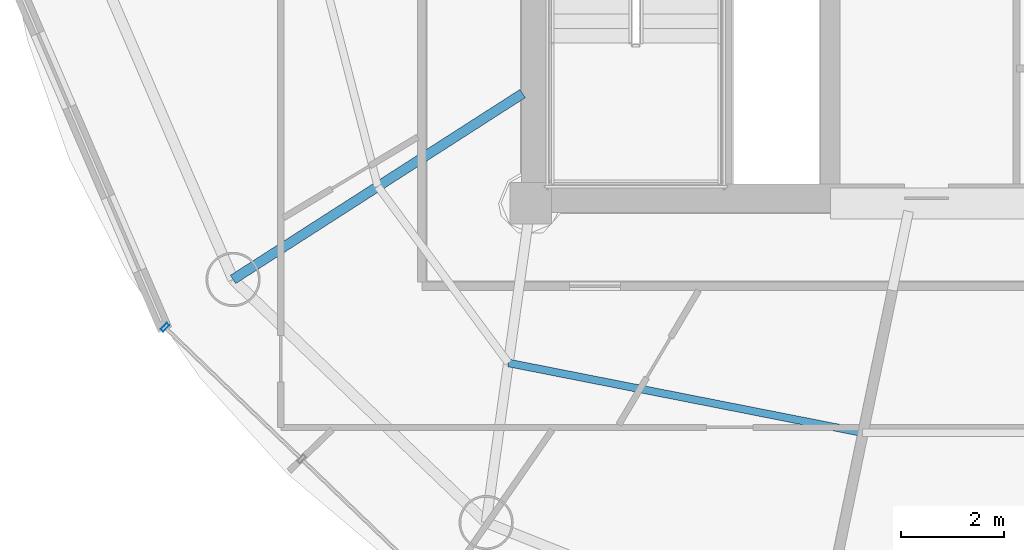
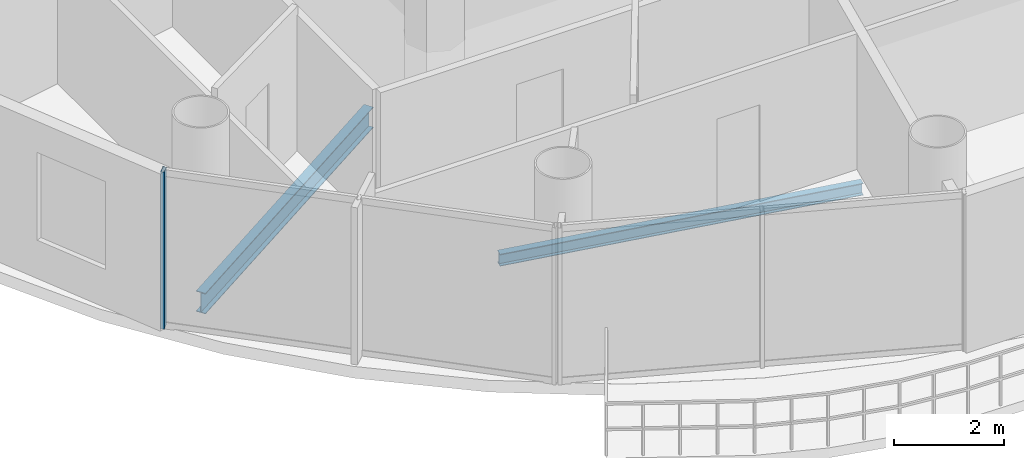
# One storey, part 3 of 23: 2 beams, 1 member, 1 element without a shape of its own.
"""IFC4 building model written with IfcOpenShell, lengths in metres."""

from ifc_helpers import new_model, si_unit, direction, frame, origin, origin_2d, place, context, subcontext, project, spatial, hollow_rectangle, i_section, extrude, source, transform, mapped, material, material_profile, profile_set, type_object, element, aggregate, save


model = new_model("IFC4")

# Units and contexts
model_context = context("Model", 3, precision=1e-05, world=origin(), true_north=direction((-0.2419218956, 0.970295726276)))
body_context = subcontext(model_context, "Body", "Model", "MODEL_VIEW")
ifc_project = project(units=[si_unit("LENGTHUNIT", "METRE"), si_unit("AREAUNIT", "SQUARE_METRE"), si_unit("VOLUMEUNIT", "CUBIC_METRE"), si_unit("PLANEANGLEUNIT", "RADIAN"), si_unit("MASSUNIT", "GRAM", prefix="KILO")], contexts=[model_context])

# Site, building, storey
site_placement = place(None, origin())
site = spatial("IfcSite", under=ifc_project, at=site_placement, CompositionType="ELEMENT")
building_placement = place(site_placement, origin())
building = spatial("IfcBuilding", under=site, at=building_placement, Name="Cobrevalo Terracotta Tower", CompositionType="ELEMENT")
storey_placement = place(building_placement, frame((0.0, 0.0, 251.949951171875)))
storey = spatial("IfcBuildingStorey", under=building, at=storey_placement, Name="L66", CompositionType="ELEMENT", Elevation=251.949951171875)

# Beams
ifc_material_1 = material(Name="Steel S355", Category="steel")
ifc_material_profile_1 = material_profile(ifc_material_1, i_section(OverallWidth=0.19091796875, OverallDepth=0.4599609375, WebThickness=0.010009765625, FlangeThickness=0.01611328125, at=origin_2d()), Name="W 460x82")
ifc_profile_set_1 = profile_set([ifc_material_profile_1], Name="Steel S355")
beam_type_1 = type_object("IfcBeamType", Name="Structural Beam W 460x82 (Steel S355)", PredefinedType="BEAM", material=ifc_profile_set_1)
beam_1_placement = place(storey_placement, frame((23.241455078125, 17.32763671875, -0.489990234375), z_axis=(0.84157615512, 0.540138477739, 0.0), x_axis=(-0.540138477739, 0.84157615512, 0.0)))
element("IfcBeam", 1, at=beam_1_placement, inside=storey, type_object=beam_type_1, Name="L66 radial floor girder 10", PredefinedType="BEAM", context=body_context, shape_type="SweptSolid", body=[
    extrude(i_section(OverallWidth=0.19091796875, OverallDepth=0.4599609375, WebThickness=0.010009765625, FlangeThickness=0.01611328125, at=origin_2d()), origin(), (0.0, 0.0, 1.0), 6.658447265625),
])
ifc_material_profile_2 = material_profile(ifc_material_1, i_section(OverallWidth=0.14794921875, OverallDepth=0.26611328125, WebThickness=0.007568359375, FlangeThickness=0.012939453125, at=origin_2d()), Name="W 250x44.8")
ifc_profile_set_2 = profile_set([ifc_material_profile_2], Name="Steel S355")
beam_type_2 = type_object("IfcBeamType", Name="Structural Joist W 250x44.8 (Steel S355)", PredefinedType="JOIST", material=ifc_profile_set_2)
beam_2_placement = place(storey_placement, frame((28.5693359375, 15.711669921875, -0.39306640625), z_axis=(0.981145060421, -0.193272787563, 0.0), x_axis=(0.193272787563, 0.981145060421, 0.0)))
element("IfcBeam", 2, at=beam_2_placement, inside=storey, type_object=beam_type_2, Name="L66 circumferential secondary floor joist 11", PredefinedType="JOIST", context=body_context, shape_type="SweptSolid", body=[
    extrude(i_section(OverallWidth=0.14794921875, OverallDepth=0.26611328125, WebThickness=0.007568359375, FlangeThickness=0.012939453125, at=origin_2d()), origin(), (0.0, 0.0, 1.0), 6.98681640625),
])

# Curtain wall, member
ifc_material_2 = material(Name="Anodized aluminium", Category="aluminium")
curtain_wall_type = type_object("IfcCurtainWallType", Name="Upper-tower triple-glazed penthouse curtain wall CW-U3", PredefinedType="NOTDEFINED", material=ifc_material_2)
curtain_wall_placement = place(storey_placement, origin())
curtain_wall = element("IfcCurtainWall", 3, at=curtain_wall_placement, inside=storey, type_object=curtain_wall_type, Name="L66 curtain wall CW-L66-S10", PredefinedType="NOTDEFINED")
ifc_material_profile_3 = material_profile(ifc_material_2, hollow_rectangle(XDim=0.070068359375, YDim=0.169921875, WallThickness=0.00439453125, at=origin_2d()), Name="CWM 70x170")
ifc_profile_set_3 = profile_set([ifc_material_profile_3], Name="Anodized aluminium")
member_type = type_object("IfcMemberType", Name="Upper tower unitised mullion 70x170", PredefinedType="MULLION", material=ifc_profile_set_3)
shared_shape = source(origin(), body_context, "Body", "SweptSolid", [
    extrude(hollow_rectangle(XDim=0.070068359375, YDim=0.169921875, WallThickness=0.00439453125, at=origin_2d()), origin(), (0.0, 0.0, 1.0), 3.489990234375),
])
member_placement = place(storey_placement, frame((21.92333984375, 16.399658203125, 0.0), z_axis=(0.0, 0.0, 1.0), x_axis=(0.71999418085, -0.69398010025, 0.0)))
member = element("IfcMember", 4, at=member_placement, type_object=member_type, Name="CW-L66-S10 vertical mullion 01", PredefinedType="MULLION", context=body_context, shape_type="MappedRepresentation", body=[
    mapped(shared_shape, transform((0.0, 0.0, 0.0), scale=1.0)),
])
aggregate(curtain_wall, [member])

save(model, "model.ifc")
